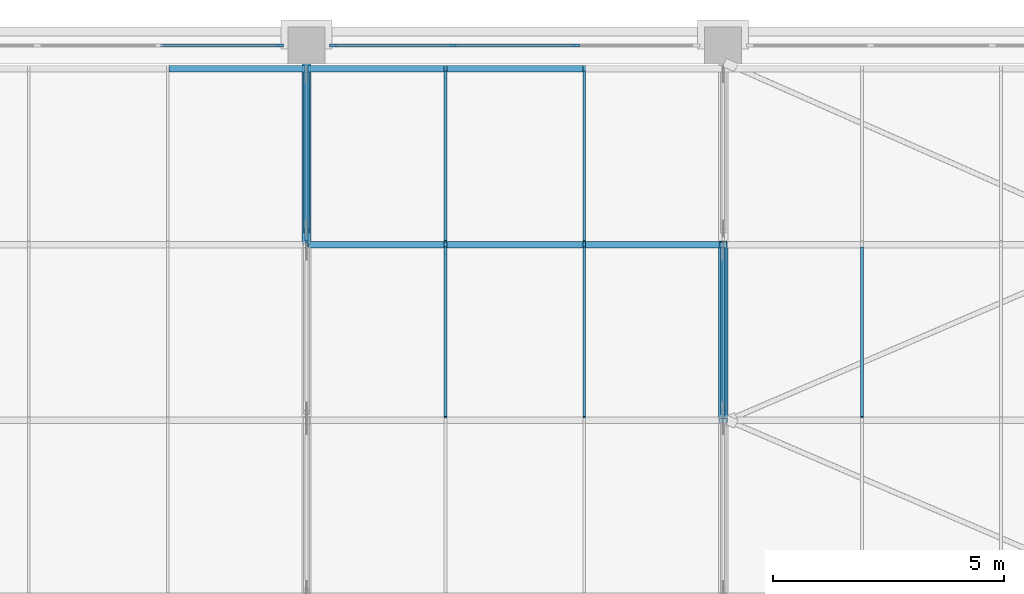
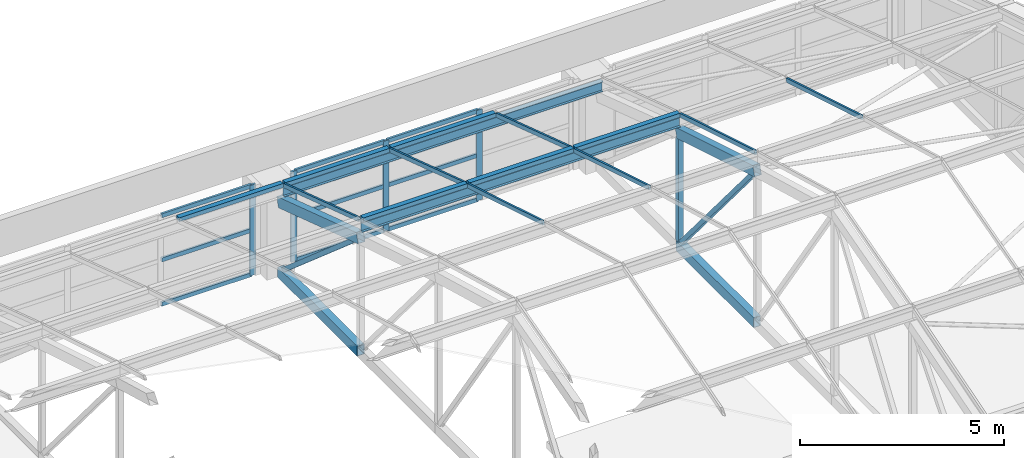
# One storey, part 38 of 82: 35 members, 3 elements without a shape of their own.
"""IFC4 building model written with IfcOpenShell, lengths in metres."""

from ifc_helpers import new_model, si_unit, direction, frame, origin, origin_2d, place, context, subcontext, project, spatial, rectangle, hollow_rectangle, i_section, extrude, material, material_profile, profile_set, type_object, element, aggregate, save


model = new_model("IFC4")

# Units and contexts
model_context = context("Model", 3, precision=1e-05, world=origin(), true_north=direction((0.0, 1.0)))
body_context = subcontext(model_context, "Body", "Model", "MODEL_VIEW")
ifc_project = project(units=[si_unit("LENGTHUNIT", "METRE"), si_unit("AREAUNIT", "SQUARE_METRE"), si_unit("VOLUMEUNIT", "CUBIC_METRE"), si_unit("PLANEANGLEUNIT", "RADIAN"), si_unit("MASSUNIT", "GRAM", prefix="KILO")], contexts=[model_context])

# Site, building, storey
site_placement = place(None, origin())
site = spatial("IfcSite", under=ifc_project, at=site_placement, CompositionType="ELEMENT")
building_placement = place(site_placement, origin())
building = spatial("IfcBuilding", under=site, at=building_placement, Name="Aravalli Gate Trade Fair Centre", CompositionType="ELEMENT")
storey_placement = place(building_placement, frame((0.0, 0.0, 19.199951171875)))
storey = spatial("IfcBuildingStorey", under=building, at=storey_placement, Name="L04", CompositionType="ELEMENT", Elevation=19.199951171875)

# Curtain wall, member
ifc_material_1 = material(Name="Aluminium and glass", Category="aluminium")
curtain_wall_type_1 = type_object("IfcCurtainWallType", Name="Curtain wall 3000 module", PredefinedType="NOTDEFINED", material=ifc_material_1)
curtain_wall_1_placement = place(storey_placement, origin())
curtain_wall_1 = element("IfcCurtainWall", 1, at=curtain_wall_1_placement, inside=storey, type_object=curtain_wall_type_1, Name="Curtain wall north bay 16 L04", PredefinedType="NOTDEFINED")
ifc_material_2 = material(Name="Aluminium", Category="aluminium")
ifc_material_profile_1 = material_profile(ifc_material_2, rectangle(XDim=0.06005859375, YDim=0.159912109375, at=origin_2d()), Name="Concourse curtain wall mullion 60 x 160")
ifc_profile_set_1 = profile_set([ifc_material_profile_1], Name="Aluminium")
member_type_1 = type_object("IfcMemberType", Name="Concourse curtain wall mullion 60 x 160", PredefinedType="MULLION", material=ifc_profile_set_1)
member_1_placement = place(storey_placement, frame((140.419921875, 133.0, 0.0), z_axis=(0.0, 0.0, 1.0), x_axis=(0.0, 1.0, 0.0)))
member_1 = element("IfcMember", 2, at=member_1_placement, type_object=member_type_1, Name="CW1 mullion 4", PredefinedType="MULLION", context=body_context, shape_type="SweptSolid", body=[
    extrude(rectangle(XDim=0.06005859375, YDim=0.159912109375, at=origin_2d()), origin(), (0.0, 0.0, 1.0), 2.699951171875),
])

# Curtain wall, members
curtain_wall_2_placement = place(storey_placement, origin())
curtain_wall_2 = element("IfcCurtainWall", 3, at=curtain_wall_2_placement, inside=storey, type_object=curtain_wall_type_1, Name="Curtain wall north bay 17 L04", PredefinedType="NOTDEFINED")
member_2_placement = place(storey_placement, frame((141.580078125, 133.0, 0.0), z_axis=(0.0, 0.0, 1.0), x_axis=(0.0, 1.0, 0.0)))
member_2 = element("IfcMember", 4, at=member_2_placement, type_object=member_type_1, Name="CW1 mullion 1", PredefinedType="MULLION", context=body_context, shape_type="SweptSolid", body=[
    extrude(rectangle(XDim=0.06005859375, YDim=0.159912109375, at=origin_2d()), origin(), (0.0, 0.0, 1.0), 2.699951171875),
])
member_3_placement = place(storey_placement, frame((144.183349609375, 133.0, 0.0), z_axis=(0.0, 0.0, 1.0), x_axis=(0.0, 1.0, 0.0)))
member_3 = element("IfcMember", 5, at=member_3_placement, type_object=member_type_1, Name="CW1 mullion 2", PredefinedType="MULLION", context=body_context, shape_type="SweptSolid", body=[
    extrude(rectangle(XDim=0.06005859375, YDim=0.159912109375, at=origin_2d()), origin(), (0.0, 0.0, 1.0), 2.699951171875),
])
member_4_placement = place(storey_placement, frame((146.816650390625, 133.0, 0.0), z_axis=(0.0, 0.0, 1.0), x_axis=(0.0, 1.0, 0.0)))
member_4 = element("IfcMember", 6, at=member_4_placement, type_object=member_type_1, Name="CW1 mullion 3", PredefinedType="MULLION", context=body_context, shape_type="SweptSolid", body=[
    extrude(rectangle(XDim=0.06005859375, YDim=0.159912109375, at=origin_2d()), origin(), (0.0, 0.0, 1.0), 2.699951171875),
])

# Member
ifc_material_profile_2 = material_profile(ifc_material_2, rectangle(XDim=0.06005859375, YDim=0.1201171875, at=origin_2d()), Name="Concourse curtain wall transom 60 x 120")
ifc_profile_set_2 = profile_set([ifc_material_profile_2], Name="Aluminium")
member_type_2 = type_object("IfcMemberType", Name="Concourse curtain wall transom 60 x 120", PredefinedType="USERDEFINED", material=ifc_profile_set_2)
member_5_placement = place(storey_placement, frame((137.8466796875, 133.0, 0.030029296875), z_axis=(1.0, 0.0, 0.0), x_axis=(0.0, 1.0, 0.0)))
member_5 = element("IfcMember", 7, at=member_5_placement, type_object=member_type_2, Name="CW1 transom 3.1", ObjectType="TRANSOM", PredefinedType="USERDEFINED", context=body_context, shape_type="SweptSolid", body=[
    extrude(rectangle(XDim=0.06005859375, YDim=0.1201171875, at=origin_2d()), origin(), (0.0, 0.0, 1.0), 2.543212890625),
])

member_6_placement = place(storey_placement, frame((137.8466796875, 133.0, 1.35009765625), z_axis=(1.0, 0.0, 0.0), x_axis=(0.0, 1.0, 0.0)))
member_6 = element("IfcMember", 8, at=member_6_placement, type_object=member_type_2, Name="CW1 transom 3.2", ObjectType="TRANSOM", PredefinedType="USERDEFINED", context=body_context, shape_type="SweptSolid", body=[
    extrude(rectangle(XDim=0.06005859375, YDim=0.1201171875, at=origin_2d()), origin(), (0.0, 0.0, 1.0), 2.543212890625),
])

member_7_placement = place(storey_placement, frame((137.8466796875, 133.0, 2.670166015625), z_axis=(1.0, 0.0, 0.0), x_axis=(0.0, 1.0, 0.0)))
member_7 = element("IfcMember", 9, at=member_7_placement, type_object=member_type_2, Name="CW1 transom 3.3", ObjectType="TRANSOM", PredefinedType="USERDEFINED", context=body_context, shape_type="SweptSolid", body=[
    extrude(rectangle(XDim=0.06005859375, YDim=0.1201171875, at=origin_2d()), origin(), (0.0, 0.0, 1.0), 2.543212890625),
])

aggregate(curtain_wall_1, [member_1, member_5, member_6, member_7])

member_8_placement = place(storey_placement, frame((141.610107421875, 133.0, 0.030029296875), z_axis=(1.0, 0.0, 0.0), x_axis=(0.0, 1.0, 0.0)))
member_8 = element("IfcMember", 10, at=member_8_placement, type_object=member_type_2, Name="CW1 transom 1.1", ObjectType="TRANSOM", PredefinedType="USERDEFINED", context=body_context, shape_type="SweptSolid", body=[
    extrude(rectangle(XDim=0.06005859375, YDim=0.1201171875, at=origin_2d()), origin(), (0.0, 0.0, 1.0), 2.543212890625),
])

member_9_placement = place(storey_placement, frame((141.610107421875, 133.0, 1.35009765625), z_axis=(1.0, 0.0, 0.0), x_axis=(0.0, 1.0, 0.0)))
member_9 = element("IfcMember", 11, at=member_9_placement, type_object=member_type_2, Name="CW1 transom 1.2", ObjectType="TRANSOM", PredefinedType="USERDEFINED", context=body_context, shape_type="SweptSolid", body=[
    extrude(rectangle(XDim=0.06005859375, YDim=0.1201171875, at=origin_2d()), origin(), (0.0, 0.0, 1.0), 2.543212890625),
])

member_10_placement = place(storey_placement, frame((141.610107421875, 133.0, 2.670166015625), z_axis=(1.0, 0.0, 0.0), x_axis=(0.0, 1.0, 0.0)))
member_10 = element("IfcMember", 12, at=member_10_placement, type_object=member_type_2, Name="CW1 transom 1.3", ObjectType="TRANSOM", PredefinedType="USERDEFINED", context=body_context, shape_type="SweptSolid", body=[
    extrude(rectangle(XDim=0.06005859375, YDim=0.1201171875, at=origin_2d()), origin(), (0.0, 0.0, 1.0), 2.543212890625),
])

member_11_placement = place(storey_placement, frame((144.21337890625, 133.0, 0.030029296875), z_axis=(1.0, 0.0, 0.0), x_axis=(0.0, 1.0, 0.0)))
member_11 = element("IfcMember", 13, at=member_11_placement, type_object=member_type_2, Name="CW1 transom 2.1", ObjectType="TRANSOM", PredefinedType="USERDEFINED", context=body_context, shape_type="SweptSolid", body=[
    extrude(rectangle(XDim=0.06005859375, YDim=0.1201171875, at=origin_2d()), origin(), (0.0, 0.0, 1.0), 2.5732421875),
])

member_12_placement = place(storey_placement, frame((144.21337890625, 133.0, 1.35009765625), z_axis=(1.0, 0.0, 0.0), x_axis=(0.0, 1.0, 0.0)))
member_12 = element("IfcMember", 14, at=member_12_placement, type_object=member_type_2, Name="CW1 transom 2.2", ObjectType="TRANSOM", PredefinedType="USERDEFINED", context=body_context, shape_type="SweptSolid", body=[
    extrude(rectangle(XDim=0.06005859375, YDim=0.1201171875, at=origin_2d()), origin(), (0.0, 0.0, 1.0), 2.5732421875),
])

member_13_placement = place(storey_placement, frame((144.21337890625, 133.0, 2.670166015625), z_axis=(1.0, 0.0, 0.0), x_axis=(0.0, 1.0, 0.0)))
member_13 = element("IfcMember", 15, at=member_13_placement, type_object=member_type_2, Name="CW1 transom 2.3", ObjectType="TRANSOM", PredefinedType="USERDEFINED", context=body_context, shape_type="SweptSolid", body=[
    extrude(rectangle(XDim=0.06005859375, YDim=0.1201171875, at=origin_2d()), origin(), (0.0, 0.0, 1.0), 2.5732421875),
])

aggregate(curtain_wall_2, [member_2, member_3, member_4, member_8, member_9, member_10, member_11, member_12, member_13])

# Members
ifc_material_3 = material(Name="Steel E350", Category="steel")
ifc_material_profile_3 = material_profile(ifc_material_3, i_section(OverallWidth=0.139892578125, OverallDepth=0.300048828125, WebThickness=0.0078125, FlangeThickness=0.01318359375, at=origin_2d()), Name="ISMB 300")
ifc_profile_set_3 = profile_set([ifc_material_profile_3], Name="Steel E350")
member_type_3 = type_object("IfcMemberType", Name="ISMB 300 roof purlin", PredefinedType="PURLIN", material=ifc_profile_set_3)
for number, where, z_axis, x_axis, name in (
    (16, (141.0, 128.699951171875, 3.851318359375), (1.0, 0.0, 0.0), (0.0, 1.0, 0.0), "Vault purlin 16-17 F5"),
    (17, (141.0, 132.5, 2.60302734375), (1.0, 0.0, 0.0), (0.0, 1.0, 0.0), "Vault purlin 16-17 F6"),
):
    element("IfcMember", number, at=place(storey_placement, frame(where, z_axis=z_axis, x_axis=x_axis)), inside=storey, type_object=member_type_3, Name=name, PredefinedType="PURLIN", context=body_context, shape_type="SweptSolid", body=[
        extrude(i_section(OverallWidth=0.139892578125, OverallDepth=0.300048828125, WebThickness=0.0078125, FlangeThickness=0.01318359375, at=origin_2d()), origin(), (0.0, 0.0, 1.0), 9.0),
    ])
ifc_material_profile_4 = material_profile(ifc_material_3, hollow_rectangle(XDim=0.199951171875, YDim=0.300048828125, WallThickness=0.011962890625, at=origin_2d()), Name="RHS 300x200x12")
ifc_profile_set_4 = profile_set([ifc_material_profile_4], Name="Steel E350")
member_type_4 = type_object("IfcMemberType", Name="RHS 300x200x12 CT1 truss chord", PredefinedType="CHORD", material=ifc_profile_set_4)
member_14_placement = place(storey_placement, frame((141.0, 128.699951171875, 3.522216796875), z_axis=(0.0, 0.949924628731, -0.312479118872), x_axis=(-1.0, 0.0, 0.0)))
element("IfcMember", 18, at=member_14_placement, inside=storey, type_object=member_type_4, Name="Concourse vault truss CT1 line 16 top chord T6", PredefinedType="CHORD", context=body_context, shape_type="SweptSolid", body=[
    extrude(hollow_rectangle(XDim=0.199951171875, YDim=0.300048828125, WallThickness=0.011962890625, at=origin_2d()), origin(), (0.0, 0.0, 1.0), 4.105712890625),
])
member_15_placement = place(storey_placement, frame((141.0, 128.699951171875, 0.150146484375), z_axis=(0.0, 1.0, 0.0), x_axis=(-1.0, 0.0, 0.0)))
element("IfcMember", 19, at=member_15_placement, inside=storey, type_object=member_type_4, Name="Concourse vault truss CT1 line 16 bottom chord B6", PredefinedType="CHORD", context=body_context, shape_type="SweptSolid", body=[
    extrude(hollow_rectangle(XDim=0.199951171875, YDim=0.300048828125, WallThickness=0.011962890625, at=origin_2d()), origin(), (0.0, 0.0, 1.0), 3.900146484375),
])
member_16_placement = place(storey_placement, frame((150.0, 124.89990234375, 4.67333984375), z_axis=(0.0, 0.957138110877, -0.289631898634), x_axis=(-1.0, 0.0, 0.0)))
element("IfcMember", 20, at=member_16_placement, inside=storey, type_object=member_type_4, Name="Concourse vault truss CT1 line 17 top chord T5", PredefinedType="CHORD", context=body_context, shape_type="SweptSolid", body=[
    extrude(hollow_rectangle(XDim=0.199951171875, YDim=0.300048828125, WallThickness=0.011962890625, at=origin_2d()), origin(), (0.0, 0.0, 1.0), 3.97021484375),
])
member_17_placement = place(storey_placement, frame((150.0, 124.89990234375, 0.150146484375), z_axis=(0.0, 1.0, 0.0), x_axis=(-1.0, 0.0, 0.0)))
element("IfcMember", 21, at=member_17_placement, inside=storey, type_object=member_type_4, Name="Concourse vault truss CT1 line 17 bottom chord B5", PredefinedType="CHORD", context=body_context, shape_type="SweptSolid", body=[
    extrude(hollow_rectangle(XDim=0.199951171875, YDim=0.300048828125, WallThickness=0.011962890625, at=origin_2d()), origin(), (0.0, 0.0, 1.0), 3.800048828125),
])
ifc_material_profile_5 = material_profile(ifc_material_3, hollow_rectangle(XDim=0.125, YDim=0.125, WallThickness=0.006103515625, at=origin_2d()), Name="SHS 125x125x6")
ifc_profile_set_5 = profile_set([ifc_material_profile_5], Name="Steel E350")
member_type_5 = type_object("IfcMemberType", Name="SHS 125x125x6 CT1 truss diagonal", PredefinedType="BRACE", material=ifc_profile_set_5)
member_18_placement = place(storey_placement, frame((141.0, 128.994873046875, 3.267333984375), z_axis=(0.0, 0.756430814482, -0.654073713661), x_axis=(-1.0, 0.0, 0.0)))
element("IfcMember", 22, at=member_18_placement, inside=storey, type_object=member_type_5, Name="Concourse vault truss CT1 line 16 diagonal D6", PredefinedType="BRACE", context=body_context, shape_type="SweptSolid", body=[
    extrude(hollow_rectangle(XDim=0.125, YDim=0.125, WallThickness=0.006103515625, at=origin_2d()), origin(), (0.0, 0.0, 1.0), 4.53662109375),
])
member_19_placement = place(storey_placement, frame((150.0, 125.076416015625, 4.463134765625), z_axis=(0.0, 0.643253159982, -0.765653558845), x_axis=(-1.0, 0.0, 0.0)))
element("IfcMember", 23, at=member_19_placement, inside=storey, type_object=member_type_5, Name="Concourse vault truss CT1 line 17 diagonal D5", PredefinedType="BRACE", context=body_context, shape_type="SweptSolid", body=[
    extrude(hollow_rectangle(XDim=0.125, YDim=0.125, WallThickness=0.006103515625, at=origin_2d()), origin(), (0.0, 0.0, 1.0), 5.437255859375),
])
ifc_material_profile_6 = material_profile(ifc_material_3, hollow_rectangle(XDim=0.14990234375, YDim=0.14990234375, WallThickness=0.006103515625, at=origin_2d()), Name="SHS 150x150x6")
ifc_profile_set_6 = profile_set([ifc_material_profile_6], Name="Steel E350")
member_type_6 = type_object("IfcMemberType", Name="SHS 150x150x6 CT1 truss post", PredefinedType="POST", material=ifc_profile_set_6)
member_20_placement = place(storey_placement, frame((150.0, 128.699951171875, 0.300048828125), z_axis=(0.0, 0.0, 1.0), x_axis=(1.0, 0.0, 0.0)))
element("IfcMember", 24, at=member_20_placement, inside=storey, type_object=member_type_6, Name="Concourse vault truss CT1 line 17 post V5", PredefinedType="POST", context=body_context, shape_type="SweptSolid", body=[
    extrude(hollow_rectangle(XDim=0.14990234375, YDim=0.14990234375, WallThickness=0.006103515625, at=origin_2d()), origin(), (0.0, 0.0, 1.0), 3.064208984375),
])
ifc_material_profile_7 = material_profile(ifc_material_2, rectangle(XDim=0.139892578125, YDim=0.1201171875, at=origin_2d()), Name="Vault fold cap 140 x 120")
ifc_profile_set_7 = profile_set([ifc_material_profile_7], Name="Aluminium")
member_type_7 = type_object("IfcMemberType", Name="Vault fold cap 140 x 120", PredefinedType="USERDEFINED", material=ifc_profile_set_7)
for number, where, z_axis, x_axis, name in (
    (25, (138.030029296875, 132.5, 2.81298828125), (1.0, 0.0, 0.0), (0.0, 1.0, 0.0), "Vault fold cap e13.6"),
    (26, (141.030029296875, 128.699951171875, 4.061279296875), (1.0, 0.0, 0.0), (0.0, 1.0, 0.0), "Vault fold cap e14.5"),
    (27, (141.030029296875, 132.5, 2.81298828125), (1.0, 0.0, 0.0), (0.0, 1.0, 0.0), "Vault fold cap e14.6"),
    (28, (144.030029296875, 128.699951171875, 4.061279296875), (1.0, 0.0, 0.0), (0.0, 1.0, 0.0), "Vault fold cap e15.5"),
    (29, (144.030029296875, 132.5, 2.81298828125), (1.0, 0.0, 0.0), (0.0, 1.0, 0.0), "Vault fold cap e15.6"),
    (30, (147.030029296875, 128.699951171875, 4.061279296875), (1.0, 0.0, 0.0), (0.0, 1.0, 0.0), "Vault fold cap e16.5"),
):
    element("IfcMember", number, at=place(storey_placement, frame(where, z_axis=z_axis, x_axis=x_axis)), inside=storey, type_object=member_type_7, Name=name, ObjectType="FOLD CAP", PredefinedType="USERDEFINED", context=body_context, shape_type="SweptSolid", body=[
        extrude(rectangle(XDim=0.139892578125, YDim=0.1201171875, at=origin_2d()), origin(), (0.0, 0.0, 1.0), 2.93994140625),
    ])

# Curtain wall, members
curtain_wall_type_2 = type_object("IfcCurtainWallType", Name="Vault curtain wall, sloped glazing", PredefinedType="NOTDEFINED", material=ifc_material_1)
curtain_wall_3_placement = place(storey_placement, origin())
curtain_wall_3 = element("IfcCurtainWall", 31, at=curtain_wall_3_placement, inside=storey, type_object=curtain_wall_type_2, Name="Vault curtain wall e", PredefinedType="NOTDEFINED")
ifc_material_profile_8 = material_profile(ifc_material_2, rectangle(XDim=0.06005859375, YDim=0.1201171875, at=origin_2d()), Name="Vault glazing bar 60 x 120")
ifc_profile_set_8 = profile_set([ifc_material_profile_8], Name="Aluminium")
member_type_8 = type_object("IfcMemberType", Name="Vault glazing bar 60 x 120", PredefinedType="USERDEFINED", material=ifc_profile_set_8)
member_21_placement = place(storey_placement, frame((141.0, 128.77001953125, 4.013916015625), z_axis=(0.0, 0.949930492103, -0.31246129388), x_axis=(-1.0, 0.0, 0.0)))
member_21 = element("IfcMember", 32, at=member_21_placement, type_object=member_type_8, Name="Vault glazing bar e14.6", ObjectType="GLAZING BAR", PredefinedType="USERDEFINED", context=body_context, shape_type="SweptSolid", body=[
    extrude(rectangle(XDim=0.06005859375, YDim=0.1201171875, at=origin_2d()), origin(), (0.0, 0.0, 1.0), 3.852783203125),
])
member_22_placement = place(storey_placement, frame((144.0, 124.969970703125, 5.166259765625), z_axis=(0.0, 0.957125834694, -0.289672464279), x_axis=(-1.0, 0.0, 0.0)))
member_22 = element("IfcMember", 33, at=member_22_placement, type_object=member_type_8, Name="Vault glazing bar e15.5", ObjectType="GLAZING BAR", PredefinedType="USERDEFINED", context=body_context, shape_type="SweptSolid", body=[
    extrude(rectangle(XDim=0.06005859375, YDim=0.1201171875, at=origin_2d()), origin(), (0.0, 0.0, 1.0), 3.823974609375),
])
member_23_placement = place(storey_placement, frame((144.0, 128.77001953125, 4.013916015625), z_axis=(0.0, 0.949930492103, -0.31246129388), x_axis=(-1.0, 0.0, 0.0)))
member_23 = element("IfcMember", 34, at=member_23_placement, type_object=member_type_8, Name="Vault glazing bar e15.6", ObjectType="GLAZING BAR", PredefinedType="USERDEFINED", context=body_context, shape_type="SweptSolid", body=[
    extrude(rectangle(XDim=0.06005859375, YDim=0.1201171875, at=origin_2d()), origin(), (0.0, 0.0, 1.0), 3.852783203125),
])
member_24_placement = place(storey_placement, frame((147.0, 124.969970703125, 5.166259765625), z_axis=(0.0, 0.957125834694, -0.289672464279), x_axis=(-1.0, 0.0, 0.0)))
member_24 = element("IfcMember", 35, at=member_24_placement, type_object=member_type_8, Name="Vault glazing bar e16.5", ObjectType="GLAZING BAR", PredefinedType="USERDEFINED", context=body_context, shape_type="SweptSolid", body=[
    extrude(rectangle(XDim=0.06005859375, YDim=0.1201171875, at=origin_2d()), origin(), (0.0, 0.0, 1.0), 3.823974609375),
])
member_25_placement = place(storey_placement, frame((147.0, 128.77001953125, 4.013916015625), z_axis=(0.0, 0.949930492103, -0.31246129388), x_axis=(-1.0, 0.0, 0.0)))
member_25 = element("IfcMember", 36, at=member_25_placement, type_object=member_type_8, Name="Vault glazing bar e16.6", ObjectType="GLAZING BAR", PredefinedType="USERDEFINED", context=body_context, shape_type="SweptSolid", body=[
    extrude(rectangle(XDim=0.06005859375, YDim=0.1201171875, at=origin_2d()), origin(), (0.0, 0.0, 1.0), 3.852783203125),
])
member_26_placement = place(storey_placement, frame((150.0, 124.969970703125, 5.166259765625), z_axis=(0.0, 0.957125834694, -0.289672464279), x_axis=(-1.0, 0.0, 0.0)))
member_26 = element("IfcMember", 37, at=member_26_placement, type_object=member_type_8, Name="Vault glazing bar e17.5", ObjectType="GLAZING BAR", PredefinedType="USERDEFINED", context=body_context, shape_type="SweptSolid", body=[
    extrude(rectangle(XDim=0.06005859375, YDim=0.1201171875, at=origin_2d()), origin(), (0.0, 0.0, 1.0), 3.823974609375),
])
member_27_placement = place(storey_placement, frame((153.0, 124.969970703125, 5.166259765625), z_axis=(0.0, 0.957125834694, -0.289672464279), x_axis=(-1.0, 0.0, 0.0)))
member_27 = element("IfcMember", 38, at=member_27_placement, type_object=member_type_8, Name="Vault glazing bar e18.5", ObjectType="GLAZING BAR", PredefinedType="USERDEFINED", context=body_context, shape_type="SweptSolid", body=[
    extrude(rectangle(XDim=0.06005859375, YDim=0.1201171875, at=origin_2d()), origin(), (0.0, 0.0, 1.0), 3.823974609375),
])
aggregate(curtain_wall_3, [member_21, member_22, member_23, member_24, member_25, member_26, member_27])

save(model, "model.ifc")
